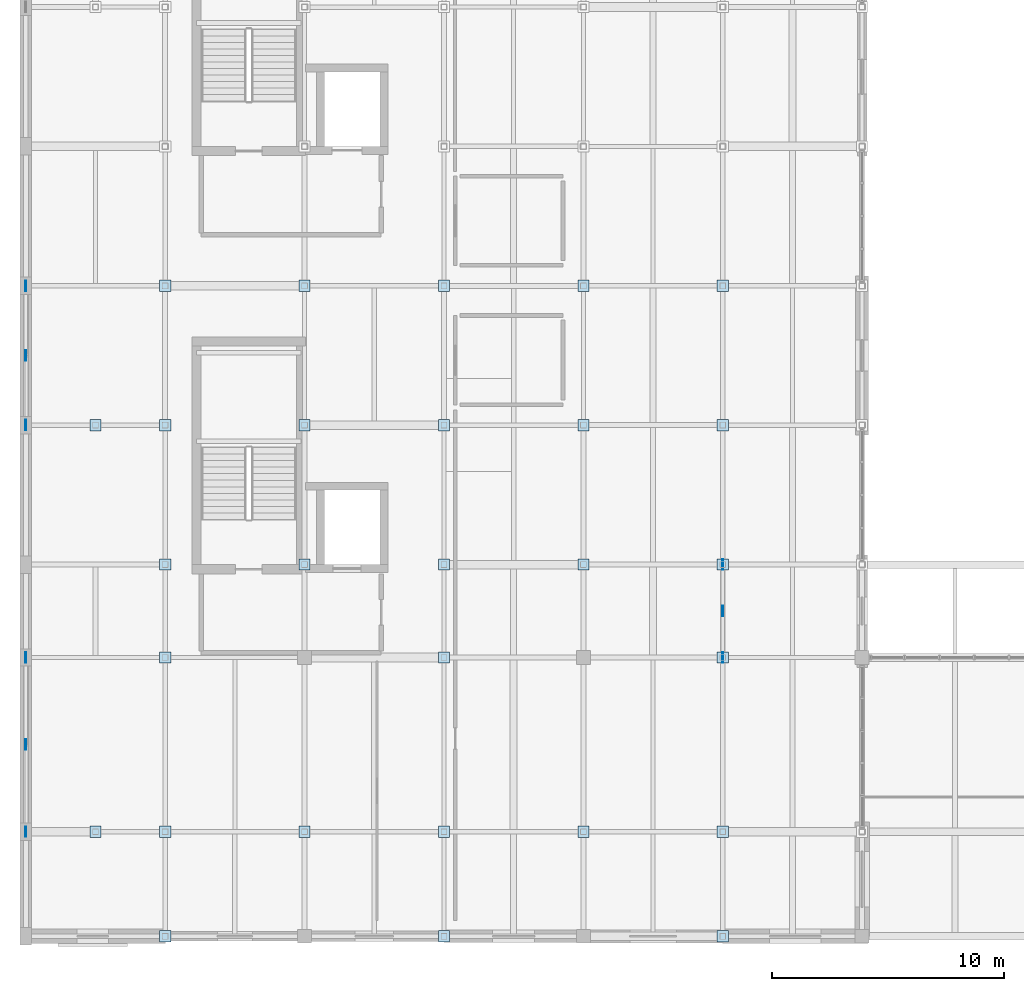
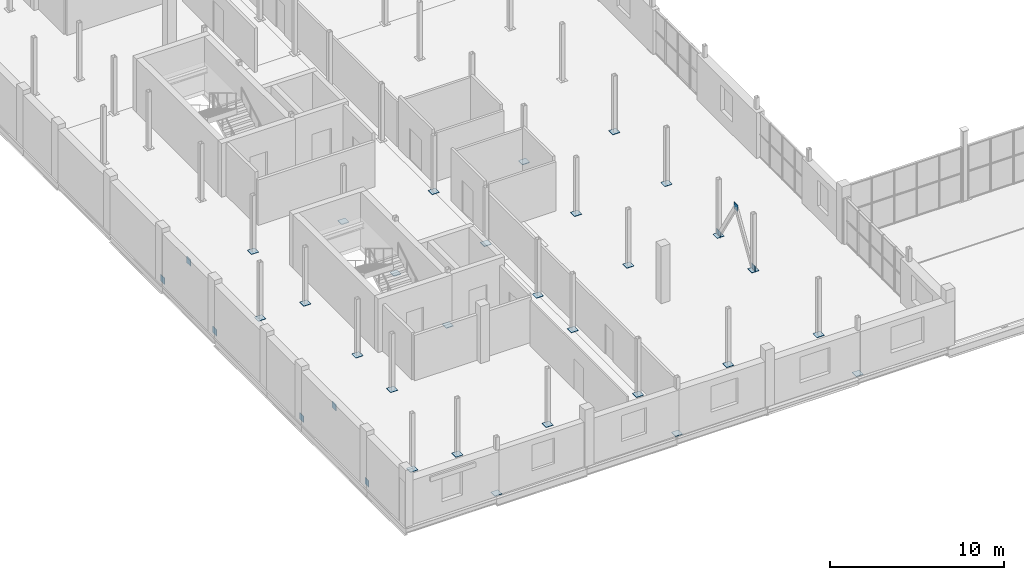
# One storey, part 81 of 96: 37 plates.
"""IFC4 building model written with IfcOpenShell, lengths in metres."""

from ifc_helpers import new_model, si_unit, direction, frame, origin, origin_2d, place, context, subcontext, project, spatial, rectangle, extrude, material, layer, layer_set, type_object, element, save


model = new_model("IFC4")

# Units and contexts
model_context = context("Model", 3, precision=1e-05, world=origin(), true_north=direction((0.0, 1.0)))
body_context = subcontext(model_context, "Body", "Model", "MODEL_VIEW")
ifc_project = project(units=[si_unit("LENGTHUNIT", "METRE"), si_unit("AREAUNIT", "SQUARE_METRE"), si_unit("VOLUMEUNIT", "CUBIC_METRE"), si_unit("PLANEANGLEUNIT", "RADIAN"), si_unit("MASSUNIT", "GRAM", prefix="KILO")], contexts=[model_context])

# Site, building, storey
site_placement = place(None, origin())
site = spatial("IfcSite", under=ifc_project, at=site_placement, CompositionType="ELEMENT")
building_placement = place(site_placement, origin())
building = spatial("IfcBuilding", under=site, at=building_placement, Name="Verrall Gate Interchange", CompositionType="ELEMENT")
storey_placement = place(building_placement, frame((0.0, 0.0, 11.39990234375)))
storey = spatial("IfcBuildingStorey", under=building, at=storey_placement, Name="L03", CompositionType="ELEMENT", Elevation=11.39990234375)

# Plates
ifc_material_1 = material(Name="Structural Steel CSA G40.21 350WT Cat 4", Category="steel")
ifc_layer_1 = layer(ifc_material_1, 0.0400390625)
ifc_layer_set_1 = layer_set([ifc_layer_1], Name="Structural Steel CSA G40.21 350WT Cat 4")
plate_type_1 = type_object("IfcPlateType", Name="BP-01 Base Plate 40", PredefinedType="USERDEFINED", material=ifc_layer_set_1)
for number, where, z_axis, x_axis, name in (
    (1, (3.0, 4.5, -0.02001953125), (0.0, 0.0, 1.0), (1.0, 0.0, 0.0), "L03 Hollow Column Transition Cap Plate 0104"),
    (2, (3.0, 22.0, -0.02001953125), (0.0, 0.0, 1.0), (1.0, 0.0, 0.0), "L03 Hollow Column Transition Cap Plate 0111"),
    (3, (6.0, 0.0, -0.02001953125), (0.0, 0.0, 1.0), (1.0, 0.0, 0.0), "L03 Hollow Column Transition Cap Plate 0134"),
    (4, (6.0, 4.5, -0.02001953125), (0.0, 0.0, 1.0), (1.0, 0.0, 0.0), "L03 Hollow Column Transition Cap Plate 0140"),
    (5, (6.0, 12.0, -0.02001953125), (0.0, 0.0, 1.0), (1.0, 0.0, 0.0), "L03 Hollow Column Transition Cap Plate 0148"),
    (6, (6.0, 16.0, -0.02001953125), (0.0, 0.0, 1.0), (1.0, 0.0, 0.0), "L03 Hollow Column Transition Cap Plate 0157"),
    (7, (6.0, 22.0, -0.02001953125), (0.0, 0.0, 1.0), (1.0, 0.0, 0.0), "L03 Hollow Column Transition Cap Plate 0166"),
    (8, (6.0, 28.0, -0.02001953125), (0.0, 0.0, 1.0), (1.0, 0.0, 0.0), "L03 Hollow Column Transition Cap Plate 0175"),
    (9, (12.0, 4.5, -0.02001953125), (0.0, 0.0, 1.0), (1.0, 0.0, 0.0), "L03 Hollow Column Transition Cap Plate 0257"),
    (10, (12.0, 16.0, -0.02001953125), (0.0, 0.0, 1.0), (1.0, 0.0, 0.0), "L03 Hollow Column Transition Cap Plate 0274"),
    (11, (12.0, 22.0, -0.02001953125), (0.0, 0.0, 1.0), (1.0, 0.0, 0.0), "L03 Hollow Column Transition Cap Plate 0283"),
    (12, (12.0, 28.0, -0.02001953125), (0.0, 0.0, 1.0), (1.0, 0.0, 0.0), "L03 Hollow Column Transition Cap Plate 0292"),
    (13, (18.0, 0.0, -0.02001953125), (0.0, 0.0, 1.0), (1.0, 0.0, 0.0), "L03 Hollow Column Transition Cap Plate 0368"),
    (14, (18.0, 4.5, -0.02001953125), (0.0, 0.0, 1.0), (1.0, 0.0, 0.0), "L03 Hollow Column Transition Cap Plate 0374"),
    (15, (18.0, 12.0, -0.02001953125), (0.0, 0.0, 1.0), (1.0, 0.0, 0.0), "L03 Hollow Column Transition Cap Plate 0382"),
    (16, (18.0, 16.0, -0.02001953125), (0.0, 0.0, 1.0), (1.0, 0.0, 0.0), "L03 Hollow Column Transition Cap Plate 0391"),
    (17, (18.0, 22.0, -0.02001953125), (0.0, 0.0, 1.0), (1.0, 0.0, 0.0), "L03 Hollow Column Transition Cap Plate 0400"),
    (18, (18.0, 28.0, -0.02001953125), (0.0, 0.0, 1.0), (1.0, 0.0, 0.0), "L03 Hollow Column Transition Cap Plate 0409"),
    (19, (24.0, 4.5, -0.02001953125), (0.0, 0.0, 1.0), (1.0, 0.0, 0.0), "L03 Hollow Column Transition Cap Plate 0491"),
    (20, (24.0, 16.0, -0.02001953125), (0.0, 0.0, 1.0), (1.0, 0.0, 0.0), "L03 Hollow Column Transition Cap Plate 0508"),
    (21, (24.0, 22.0, -0.02001953125), (0.0, 0.0, 1.0), (1.0, 0.0, 0.0), "L03 Hollow Column Transition Cap Plate 0517"),
    (22, (24.0, 28.0, -0.02001953125), (0.0, 0.0, 1.0), (1.0, 0.0, 0.0), "L03 Hollow Column Transition Cap Plate 0526"),
    (23, (30.0, 0.0, -0.02001953125), (0.0, 0.0, 1.0), (1.0, 0.0, 0.0), "L03 Hollow Column Transition Cap Plate 0602"),
    (24, (30.0, 4.5, -0.02001953125), (0.0, 0.0, 1.0), (1.0, 0.0, 0.0), "L03 Hollow Column Transition Cap Plate 0608"),
    (25, (30.0, 12.0, -0.02001953125), (0.0, 0.0, 1.0), (1.0, 0.0, 0.0), "L03 Hollow Column Transition Cap Plate 0616"),
    (26, (30.0, 16.0, -0.02001953125), (0.0, 0.0, 1.0), (1.0, 0.0, 0.0), "L03 Hollow Column Transition Cap Plate 0625"),
    (27, (30.0, 22.0, -0.02001953125), (0.0, 0.0, 1.0), (1.0, 0.0, 0.0), "L03 Hollow Column Transition Cap Plate 0634"),
    (28, (30.0, 28.0, -0.02001953125), (0.0, 0.0, 1.0), (1.0, 0.0, 0.0), "L03 Hollow Column Transition Cap Plate 0643"),
):
    element("IfcPlate", number, at=place(storey_placement, frame(where, z_axis=z_axis, x_axis=x_axis)), inside=storey, type_object=plate_type_1, Name=name, ObjectType="BASE_PLATE", PredefinedType="USERDEFINED", context=body_context, shape_type="SweptSolid", body=[
        extrude(rectangle(XDim=0.47998046875, YDim=0.47998046875, at=origin_2d()), origin(), (0.0, 0.0, 1.0), 0.0400390625),
    ])
ifc_material_2 = material(Name="Structural Steel CSA G40.21 350WT Cat 4", Category="steel")
ifc_layer_2 = layer(ifc_material_2, 0.030029296875)
ifc_layer_set_2 = layer_set([ifc_layer_2], Name="Structural Steel CSA G40.21 350WT Cat 4")
plate_type_2 = type_object("IfcPlateType", Name="GP-02 Gusset Plate 30", PredefinedType="SHEET", material=ifc_layer_set_2)
for number, where, z_axis, x_axis, name in (
    (29, (0.0, 4.5, -0.0849609375), (0.0, 0.0, 1.0), (1.0, 0.0, 0.0), "Chevron Brace Gusset Node CBF1-L03-BA"),
    (30, (0.0, 12.0, -0.0849609375), (0.0, 0.0, 1.0), (1.0, 0.0, 0.0), "Chevron Brace Gusset Node CBF1-L03-BB"),
    (31, (0.0, 8.25, 2.9951171875), (0.0, 0.0, 1.0), (1.0, 0.0, 0.0), "Chevron Brace Gusset Node CBF1-L03-AP"),
    (32, (0.0, 22.0, -0.0849609375), (0.0, 0.0, 1.0), (1.0, 0.0, 0.0), "Chevron Brace Gusset Node CBF2-L03-BA"),
    (33, (0.0, 28.0, -0.0849609375), (0.0, 0.0, 1.0), (1.0, 0.0, 0.0), "Chevron Brace Gusset Node CBF2-L03-BB"),
    (34, (0.0, 25.0, 2.9951171875), (0.0, 0.0, 1.0), (1.0, 0.0, 0.0), "Chevron Brace Gusset Node CBF2-L03-AP"),
    (35, (30.0, 12.0, -0.0849609375), (0.0, 0.0, 1.0), (1.0, 0.0, 0.0), "Chevron Brace Gusset Node CBF5-L03-BA"),
    (36, (30.0, 16.0, -0.0849609375), (0.0, 0.0, 1.0), (1.0, 0.0, 0.0), "Chevron Brace Gusset Node CBF5-L03-BB"),
    (37, (30.0, 14.0, 2.9951171875), (0.0, 0.0, 1.0), (1.0, 0.0, 0.0), "Chevron Brace Gusset Node CBF5-L03-AP"),
):
    element("IfcPlate", number, at=place(storey_placement, frame(where, z_axis=z_axis, x_axis=x_axis)), inside=storey, type_object=plate_type_2, Name=name, PredefinedType="SHEET", context=body_context, shape_type="SweptSolid", body=[
        extrude(rectangle(XDim=0.030029296875, YDim=0.449951171875, at=origin_2d()), origin(), (0.0, 0.0, 1.0), 0.449951171875),
    ])

save(model, "model.ifc")
